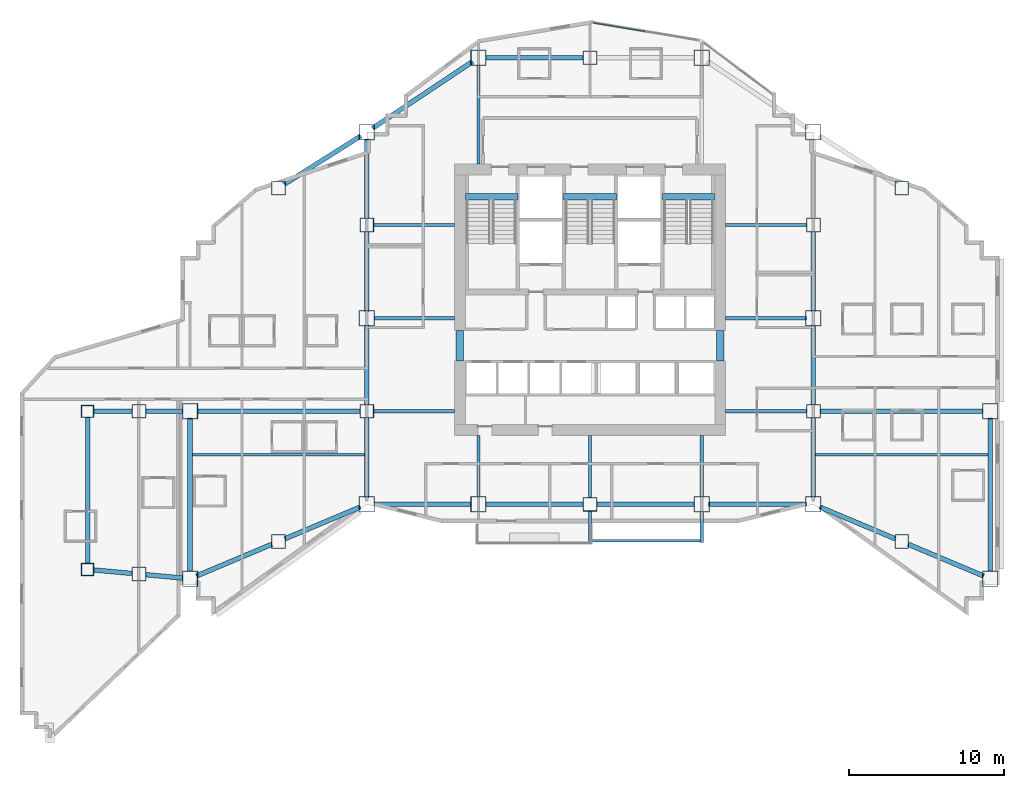
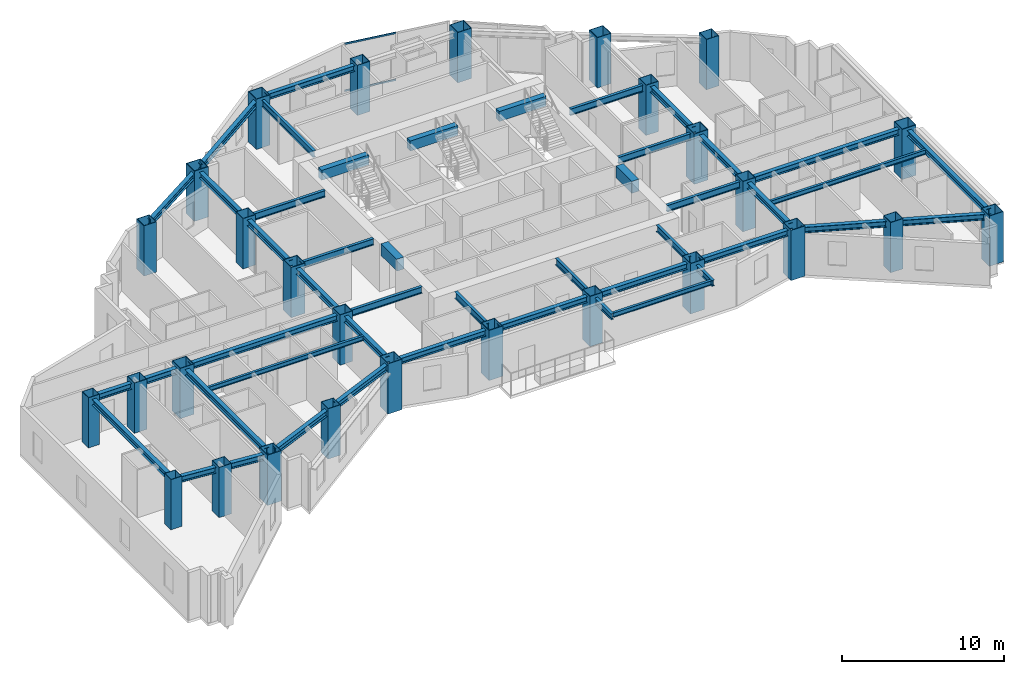
# One storey, part 1 of 16: 47 beams, 28 columns, 2 members, 1 element without a shape of its own.
"""IFC4 building model written with IfcOpenShell, lengths in metres."""

from ifc_helpers import new_model, si_unit, direction, frame, origin, origin_2d, place, context, subcontext, project, spatial, rectangle, hollow_rectangle, i_section, extrude, material, layer, layer_set, material_profile, profile_set, type_object, element, aggregate, save


model = new_model("IFC4")

# Units and contexts
model_context = context("Model", 3, precision=1e-05, world=origin(), true_north=direction((0.0, 1.0)))
body_context = subcontext(model_context, "Body", "Model", "MODEL_VIEW")
ifc_project = project(units=[si_unit("LENGTHUNIT", "METRE"), si_unit("AREAUNIT", "SQUARE_METRE"), si_unit("VOLUMEUNIT", "CUBIC_METRE"), si_unit("PLANEANGLEUNIT", "RADIAN"), si_unit("MASSUNIT", "GRAM", prefix="KILO")], contexts=[model_context])

# Site, building, storey
site_placement = place(None, origin())
site = spatial("IfcSite", under=ifc_project, at=site_placement, CompositionType="ELEMENT")
building_placement = place(site_placement, origin())
building = spatial("IfcBuilding", under=site, at=building_placement, Name="Haolan Belvedere Tower", CompositionType="ELEMENT")
storey_placement = place(building_placement, frame((0.0, 0.0, 125.0)))
storey = spatial("IfcBuildingStorey", under=building, at=storey_placement, Name="L31", CompositionType="ELEMENT", Elevation=125.0)

# Columns
ifc_material_1 = material(Name="Steel Q420GJC", Category="steel")
ifc_material_profile_1 = material_profile(ifc_material_1, hollow_rectangle(XDim=1.0, YDim=1.0, WallThickness=0.0380859375, at=origin_2d()), Name="Steel Q420GJC")
ifc_profile_set_1 = profile_set([ifc_material_profile_1], Name="Steel Q420GJC")
column_type_1 = type_object("IfcColumnType", Name="COL-BOX1000x1000x38", PredefinedType="COLUMN", material=ifc_profile_set_1)
for number, where, z_axis, x_axis, name in (
    (1, (24.0, 21.60009765625, 0.0), (0.0, 0.0, 1.0), (1.0, 0.0, 0.0), "L31 column MC-T3-SW (BOX1000x1000x38)"),
    (2, (24.0, 33.60009765625, 0.0), (0.0, 0.0, 1.0), (1.0, 0.0, 0.0), "L31 column MC-T3-MW (BOX1000x1000x38)"),
    (3, (24.0, 45.60009765625, 0.0), (0.0, 0.0, 1.0), (1.0, 0.0, 0.0), "L31 column MC-T3-NW (BOX1000x1000x38)"),
    (4, (52.800048828125, 21.60009765625, 0.0), (0.0, 0.0, 1.0), (1.0, 0.0, 0.0), "L31 column MC-T3-SE (BOX1000x1000x38)"),
    (5, (52.800048828125, 33.60009765625, 0.0), (0.0, 0.0, 1.0), (1.0, 0.0, 0.0), "L31 column MC-T3-ME (BOX1000x1000x38)"),
    (6, (52.800048828125, 45.60009765625, 0.0), (0.0, 0.0, 1.0), (1.0, 0.0, 0.0), "L31 column MC-T3-NE (BOX1000x1000x38)"),
    (7, (31.199951171875, 21.60009765625, 0.0), (0.0, 0.0, 1.0), (1.0, 0.0, 0.0), "L31 column MC-T3-S1 (BOX1000x1000x38)"),
    (8, (45.60009765625, 21.60009765625, 0.0), (0.0, 0.0, 1.0), (1.0, 0.0, 0.0), "L31 column MC-T3-S2 (BOX1000x1000x38)"),
    (9, (31.199951171875, 50.39990234375, 0.0), (0.0, 0.0, 1.0), (1.0, 0.0, 0.0), "L31 column MC-T3-N1 (BOX1000x1000x38)"),
    (10, (45.60009765625, 50.39990234375, 0.0), (0.0, 0.0, 1.0), (1.0, 0.0, 0.0), "L31 column MC-T3-N2 (BOX1000x1000x38)"),
    (11, (12.60009765625, 16.800048828125, 0.0), (0.0, 0.0, 1.0), (1.0, 0.0, 0.0), "L31 column MC-T2-SW (BOX1000x1000x38)"),
    (12, (12.60009765625, 27.60009765625, 0.0), (0.0, 0.0, 1.0), (1.0, 0.0, 0.0), "L31 column MC-T2-MW (BOX1000x1000x38)"),
    (13, (64.199951171875, 16.800048828125, 0.0), (0.0, 0.0, 1.0), (1.0, 0.0, 0.0), "L31 column MC-T4-SE (BOX1000x1000x38)"),
    (14, (64.199951171875, 27.60009765625, 0.0), (0.0, 0.0, 1.0), (1.0, 0.0, 0.0), "L31 column MC-T4-ME (BOX1000x1000x38)"),
):
    element("IfcColumn", number, at=place(storey_placement, frame(where, z_axis=z_axis, x_axis=x_axis)), inside=storey, type_object=column_type_1, Name=name, PredefinedType="COLUMN", context=body_context, shape_type="SweptSolid", body=[
        extrude(hollow_rectangle(XDim=1.0, YDim=1.0, WallThickness=0.0380859375, at=origin_2d()), origin(), (0.0, 0.0, 1.0), 3.800048828125),
    ])
ifc_material_2 = material(Name="Steel Q390GJC", Category="steel")
ifc_material_profile_2 = material_profile(ifc_material_2, hollow_rectangle(XDim=0.800048828125, YDim=0.800048828125, WallThickness=0.030029296875, at=origin_2d()), Name="Steel Q390GJC")
ifc_profile_set_2 = profile_set([ifc_material_profile_2], Name="Steel Q390GJC")
column_type_2 = type_object("IfcColumnType", Name="COL-BOX800x800x30", PredefinedType="COLUMN", material=ifc_profile_set_2)
for number, where, z_axis, x_axis, name in (
    (15, (6.0, 17.39990234375, 0.0), (0.0, 0.0, 1.0), (1.0, 0.0, 0.0), "L31 column MC-T1-SW (BOX800x800x30)"),
    (16, (6.0, 27.60009765625, 0.0), (0.0, 0.0, 1.0), (1.0, 0.0, 0.0), "L31 column MC-T1-NW (BOX800x800x30)"),
):
    element("IfcColumn", number, at=place(storey_placement, frame(where, z_axis=z_axis, x_axis=x_axis)), inside=storey, type_object=column_type_2, Name=name, PredefinedType="COLUMN", context=body_context, shape_type="SweptSolid", body=[
        extrude(hollow_rectangle(XDim=0.800048828125, YDim=0.800048828125, WallThickness=0.030029296875, at=origin_2d()), origin(), (0.0, 0.0, 1.0), 3.800048828125),
    ])
ifc_material_profile_3 = material_profile(ifc_material_2, hollow_rectangle(XDim=0.89990234375, YDim=0.89990234375, WallThickness=0.033935546875, at=origin_2d()), Name="Steel Q390GJC")
ifc_profile_set_3 = profile_set([ifc_material_profile_3], Name="Steel Q390GJC")
column_type_3 = type_object("IfcColumnType", Name="COL-BOX900x900x34", PredefinedType="COLUMN", material=ifc_profile_set_3)
for number, where, z_axis, x_axis, name in (
    (17, (24.0, 27.60009765625, 0.0), (0.0, 0.0, 1.0), (1.0, 0.0, 0.0), "L31 column TC-T3-W1 (BOX900x900x34)"),
    (18, (24.0, 39.60009765625, 0.0), (0.0, 0.0, 1.0), (1.0, 0.0, 0.0), "L31 column TC-T3-W2 (BOX900x900x34)"),
    (19, (52.800048828125, 27.60009765625, 0.0), (0.0, 0.0, 1.0), (1.0, 0.0, 0.0), "L31 column TC-T3-E1 (BOX900x900x34)"),
    (20, (52.800048828125, 39.60009765625, 0.0), (0.0, 0.0, 1.0), (1.0, 0.0, 0.0), "L31 column TC-T3-E2 (BOX900x900x34)"),
    (21, (38.39990234375, 21.60009765625, 0.0), (0.0, 0.0, 1.0), (1.0, 0.0, 0.0), "L31 column TC-T3-SM (BOX900x900x34)"),
    (22, (38.39990234375, 50.39990234375, 0.0), (0.0, 0.0, 1.0), (1.0, 0.0, 0.0), "L31 column TC-T3-NM (BOX900x900x34)"),
    (23, (18.300048828125, 19.199951171875, 0.0), (0.0, 0.0, 1.0), (1.0, 0.0, 0.0), "L31 column TC-T2-S1 (BOX900x900x34)"),
    (24, (18.300048828125, 42.0, 0.0), (0.0, 0.0, 1.0), (1.0, 0.0, 0.0), "L31 column TC-T2-N1 (BOX900x900x34)"),
    (25, (58.5, 19.199951171875, 0.0), (0.0, 0.0, 1.0), (1.0, 0.0, 0.0), "L31 column TC-T4-S1 (BOX900x900x34)"),
    (26, (58.5, 42.0, 0.0), (0.0, 0.0, 1.0), (1.0, 0.0, 0.0), "L31 column TC-T4-N1 (BOX900x900x34)"),
    (27, (9.300048828125, 17.10009765625, 0.0), (0.0, 0.0, 1.0), (1.0, 0.0, 0.0), "L31 column TC-T1-M1 (BOX900x900x34)"),
    (28, (9.300048828125, 27.60009765625, 0.0), (0.0, 0.0, 1.0), (1.0, 0.0, 0.0), "L31 column TC-T1-M2 (BOX900x900x34)"),
):
    element("IfcColumn", number, at=place(storey_placement, frame(where, z_axis=z_axis, x_axis=x_axis)), inside=storey, type_object=column_type_3, Name=name, PredefinedType="COLUMN", context=body_context, shape_type="SweptSolid", body=[
        extrude(hollow_rectangle(XDim=0.89990234375, YDim=0.89990234375, WallThickness=0.033935546875, at=origin_2d()), origin(), (0.0, 0.0, 1.0), 3.800048828125),
    ])

# Beams
ifc_material_3 = material(Name="Steel Q355B", Category="steel")
ifc_material_profile_4 = material_profile(ifc_material_3, i_section(OverallWidth=0.300048828125, OverallDepth=0.43994140625, WebThickness=0.010986328125, FlangeThickness=0.01806640625, FilletRadius=0.02392578125, at=origin_2d()), Name="Steel Q355B")
ifc_profile_set_4 = profile_set([ifc_material_profile_4], Name="Steel Q355B")
beam_type_1 = type_object("IfcBeamType", Name="BM-HM440x300x11x18", PredefinedType="SPANDREL", material=ifc_profile_set_4)
for number, where, z_axis, x_axis, name in (
    (29, (24.0, 22.050048828125, 3.3798828125), (0.0, 1.0, 0.0), (-1.0, 0.0, 0.0), "L31 spandrel girder MC-T3-SW-TC-T3-W1"),
    (30, (24.0, 28.050048828125, 3.3798828125), (0.0, 1.0, 0.0), (-1.0, 0.0, 0.0), "L31 spandrel girder TC-T3-W1-MC-T3-MW"),
    (31, (24.0, 34.050048828125, 3.3798828125), (0.0, 1.0, 0.0), (-1.0, 0.0, 0.0), "L31 spandrel girder MC-T3-MW-TC-T3-W2"),
    (32, (24.0, 40.050048828125, 3.3798828125), (0.0, 1.0, 0.0), (-1.0, 0.0, 0.0), "L31 spandrel girder TC-T3-W2-MC-T3-NW"),
    (33, (52.800048828125, 22.050048828125, 3.3798828125), (0.0, 1.0, 0.0), (-1.0, 0.0, 0.0), "L31 spandrel girder MC-T3-SE-TC-T3-E1"),
    (34, (52.800048828125, 28.050048828125, 3.3798828125), (0.0, 1.0, 0.0), (-1.0, 0.0, 0.0), "L31 spandrel girder TC-T3-E1-MC-T3-ME"),
    (35, (52.800048828125, 34.050048828125, 3.3798828125), (0.0, 1.0, 0.0), (-1.0, 0.0, 0.0), "L31 spandrel girder MC-T3-ME-TC-T3-E2"),
):
    element("IfcBeam", number, at=place(storey_placement, frame(where, z_axis=z_axis, x_axis=x_axis)), inside=storey, type_object=beam_type_1, Name=name, PredefinedType="SPANDREL", context=body_context, shape_type="SweptSolid", body=[
        extrude(i_section(OverallWidth=0.300048828125, OverallDepth=0.43994140625, WebThickness=0.010986328125, FlangeThickness=0.01806640625, FilletRadius=0.02392578125, at=origin_2d()), origin(), (0.0, 0.0, 1.0), 5.099853515625),
    ])
for number, where, z_axis, x_axis, name in (
    (36, (24.449951171875, 21.60009765625, 3.3798828125), (1.0, 0.0, 0.0), (0.0, 1.0, 0.0), "L31 spandrel girder MC-T3-SW-MC-T3-S1"),
    (37, (31.64990234375, 21.60009765625, 3.3798828125), (1.0, 0.0, 0.0), (0.0, 1.0, 0.0), "L31 spandrel girder MC-T3-S1-TC-T3-SM"),
):
    element("IfcBeam", number, at=place(storey_placement, frame(where, z_axis=z_axis, x_axis=x_axis)), inside=storey, type_object=beam_type_1, Name=name, PredefinedType="SPANDREL", context=body_context, shape_type="SweptSolid", body=[
        extrude(i_section(OverallWidth=0.300048828125, OverallDepth=0.43994140625, WebThickness=0.010986328125, FlangeThickness=0.01806640625, FilletRadius=0.02392578125, at=origin_2d()), origin(), (0.0, 0.0, 1.0), 6.300048828125),
    ])
beam_1_placement = place(storey_placement, frame((38.85009765625, 21.60009765625, 3.3798828125), z_axis=(1.0, 0.0, 0.0), x_axis=(0.0, 1.0, 0.0)))
element("IfcBeam", 38, at=beam_1_placement, inside=storey, type_object=beam_type_1, Name="L31 spandrel girder TC-T3-SM-MC-T3-S2", PredefinedType="SPANDREL", context=body_context, shape_type="SweptSolid", body=[
    extrude(i_section(OverallWidth=0.300048828125, OverallDepth=0.43994140625, WebThickness=0.010986328125, FlangeThickness=0.01806640625, FilletRadius=0.02392578125, at=origin_2d()), origin(), (0.0, 0.0, 1.0), 6.2998046875),
])
beam_2_placement = place(storey_placement, frame((46.050048828125, 21.60009765625, 3.3798828125), z_axis=(1.0, 0.0, 0.0), x_axis=(0.0, 1.0, 0.0)))
element("IfcBeam", 39, at=beam_2_placement, inside=storey, type_object=beam_type_1, Name="L31 spandrel girder MC-T3-S2-MC-T3-SE", PredefinedType="SPANDREL", context=body_context, shape_type="SweptSolid", body=[
    extrude(i_section(OverallWidth=0.300048828125, OverallDepth=0.43994140625, WebThickness=0.010986328125, FlangeThickness=0.01806640625, FilletRadius=0.02392578125, at=origin_2d()), origin(), (0.0, 0.0, 1.0), 6.300048828125),
])
beam_3_placement = place(storey_placement, frame((24.37451171875, 45.849609375, 3.3798828125), z_axis=(0.832050294338, 0.554700196225, 0.0), x_axis=(-0.554700196225, 0.832050294338, 0.0)))
element("IfcBeam", 40, at=beam_3_placement, inside=storey, type_object=beam_type_1, Name="L31 spandrel girder MC-T3-NW-MC-T3-N1", PredefinedType="SPANDREL", context=body_context, shape_type="SweptSolid", body=[
    extrude(i_section(OverallWidth=0.300048828125, OverallDepth=0.43994140625, WebThickness=0.010986328125, FlangeThickness=0.01806640625, FilletRadius=0.02392578125, at=origin_2d()), origin(), (0.0, 0.0, 1.0), 7.75341796875),
])
beam_4_placement = place(storey_placement, frame((31.64990234375, 50.39990234375, 3.3798828125), z_axis=(1.0, 0.0, 0.0), x_axis=(0.0, 1.0, 0.0)))
element("IfcBeam", 41, at=beam_4_placement, inside=storey, type_object=beam_type_1, Name="L31 spandrel girder MC-T3-N1-TC-T3-NM", PredefinedType="SPANDREL", context=body_context, shape_type="SweptSolid", body=[
    extrude(i_section(OverallWidth=0.300048828125, OverallDepth=0.43994140625, WebThickness=0.010986328125, FlangeThickness=0.01806640625, FilletRadius=0.02392578125, at=origin_2d()), origin(), (0.0, 0.0, 1.0), 6.300048828125),
])
beam_5_placement = place(storey_placement, frame((12.60009765625, 17.25, 3.3798828125), z_axis=(0.0, 1.0, 0.0), x_axis=(-1.0, 0.0, 0.0)))
element("IfcBeam", 42, at=beam_5_placement, inside=storey, type_object=beam_type_1, Name="L31 spandrel girder MC-T2-SW-MC-T2-MW", PredefinedType="SPANDREL", context=body_context, shape_type="SweptSolid", body=[
    extrude(i_section(OverallWidth=0.300048828125, OverallDepth=0.43994140625, WebThickness=0.010986328125, FlangeThickness=0.01806640625, FilletRadius=0.02392578125, at=origin_2d()), origin(), (0.0, 0.0, 1.0), 9.89990234375),
])
beam_6_placement = place(storey_placement, frame((13.0146484375, 16.974609375, 3.3798828125), z_axis=(0.921635375138, 0.388057000058, 0.0), x_axis=(-0.388057000058, 0.921635375138, 0.0)))
element("IfcBeam", 43, at=beam_6_placement, inside=storey, type_object=beam_type_1, Name="L31 spandrel girder MC-T2-SW-TC-T2-S1", PredefinedType="SPANDREL", context=body_context, shape_type="SweptSolid", body=[
    extrude(i_section(OverallWidth=0.300048828125, OverallDepth=0.43994140625, WebThickness=0.010986328125, FlangeThickness=0.01806640625, FilletRadius=0.02392578125, at=origin_2d()), origin(), (0.0, 0.0, 1.0), 5.28466796875),
])
beam_7_placement = place(storey_placement, frame((18.71484375, 19.37451171875, 3.3798828125), z_axis=(0.92162841793, 0.388073523014, 0.0), x_axis=(-0.388073523014, 0.92162841793, 0.0)))
element("IfcBeam", 44, at=beam_7_placement, inside=storey, type_object=beam_type_1, Name="L31 spandrel girder TC-T2-S1-MC-T3-SW", PredefinedType="SPANDREL", context=body_context, shape_type="SweptSolid", body=[
    extrude(i_section(OverallWidth=0.300048828125, OverallDepth=0.43994140625, WebThickness=0.010986328125, FlangeThickness=0.01806640625, FilletRadius=0.02392578125, at=origin_2d()), origin(), (0.0, 0.0, 1.0), 5.284423828125),
])
beam_8_placement = place(storey_placement, frame((18.680419921875, 42.240234375, 3.3798828125), z_axis=(0.845497840649, 0.533978839898, 0.0), x_axis=(-0.533978839898, 0.845497840649, 0.0)))
element("IfcBeam", 45, at=beam_8_placement, inside=storey, type_object=beam_type_1, Name="L31 spandrel girder TC-T2-N1-MC-T3-NW", PredefinedType="SPANDREL", context=body_context, shape_type="SweptSolid", body=[
    extrude(i_section(OverallWidth=0.300048828125, OverallDepth=0.43994140625, WebThickness=0.010986328125, FlangeThickness=0.01806640625, FilletRadius=0.02392578125, at=origin_2d()), origin(), (0.0, 0.0, 1.0), 5.841796875),
])
beam_9_placement = place(storey_placement, frame((13.050048828125, 27.60009765625, 3.3798828125), z_axis=(1.0, 0.0, 0.0), x_axis=(0.0, 1.0, 0.0)))
element("IfcBeam", 46, at=beam_9_placement, inside=storey, type_object=beam_type_1, Name="L31 spandrel girder MC-T2-MW-TC-T3-W1", PredefinedType="SPANDREL", context=body_context, shape_type="SweptSolid", body=[
    extrude(i_section(OverallWidth=0.300048828125, OverallDepth=0.43994140625, WebThickness=0.010986328125, FlangeThickness=0.01806640625, FilletRadius=0.02392578125, at=origin_2d()), origin(), (0.0, 0.0, 1.0), 10.5),
])
beam_10_placement = place(storey_placement, frame((64.199951171875, 17.25, 3.3798828125), z_axis=(0.0, 1.0, 0.0), x_axis=(-1.0, 0.0, 0.0)))
element("IfcBeam", 47, at=beam_10_placement, inside=storey, type_object=beam_type_1, Name="L31 spandrel girder MC-T4-SE-MC-T4-ME", PredefinedType="SPANDREL", context=body_context, shape_type="SweptSolid", body=[
    extrude(i_section(OverallWidth=0.300048828125, OverallDepth=0.43994140625, WebThickness=0.010986328125, FlangeThickness=0.01806640625, FilletRadius=0.02392578125, at=origin_2d()), origin(), (0.0, 0.0, 1.0), 9.89990234375),
])
for number, where, z_axis, x_axis, name in (
    (48, (53.21484375, 21.42529296875, 3.3798828125), (0.92162841793, -0.388073523014, 0.0), (0.388073523014, 0.92162841793, 0.0), "L31 spandrel girder MC-T3-SE-TC-T4-S1"),
    (49, (58.914794921875, 19.025390625, 3.3798828125), (0.92162841793, -0.388073523014, 0.0), (0.388073523014, 0.92162841793, 0.0), "L31 spandrel girder TC-T4-S1-MC-T4-SE"),
):
    element("IfcBeam", number, at=place(storey_placement, frame(where, z_axis=z_axis, x_axis=x_axis)), inside=storey, type_object=beam_type_1, Name=name, PredefinedType="SPANDREL", context=body_context, shape_type="SweptSolid", body=[
        extrude(i_section(OverallWidth=0.300048828125, OverallDepth=0.43994140625, WebThickness=0.010986328125, FlangeThickness=0.01806640625, FilletRadius=0.02392578125, at=origin_2d()), origin(), (0.0, 0.0, 1.0), 5.284423828125),
    ])
beam_11_placement = place(storey_placement, frame((53.25, 27.60009765625, 3.3798828125), z_axis=(1.0, 0.0, 0.0), x_axis=(0.0, 1.0, 0.0)))
element("IfcBeam", 50, at=beam_11_placement, inside=storey, type_object=beam_type_1, Name="L31 spandrel girder TC-T3-E1-MC-T4-ME", PredefinedType="SPANDREL", context=body_context, shape_type="SweptSolid", body=[
    extrude(i_section(OverallWidth=0.300048828125, OverallDepth=0.43994140625, WebThickness=0.010986328125, FlangeThickness=0.01806640625, FilletRadius=0.02392578125, at=origin_2d()), origin(), (0.0, 0.0, 1.0), 10.5),
])
beam_12_placement = place(storey_placement, frame((6.0, 17.800048828125, 3.3798828125), z_axis=(0.0, 1.0, 0.0), x_axis=(-1.0, 0.0, 0.0)))
element("IfcBeam", 51, at=beam_12_placement, inside=storey, type_object=beam_type_1, Name="L31 spandrel girder MC-T1-SW-MC-T1-NW", PredefinedType="SPANDREL", context=body_context, shape_type="SweptSolid", body=[
    extrude(i_section(OverallWidth=0.300048828125, OverallDepth=0.43994140625, WebThickness=0.010986328125, FlangeThickness=0.01806640625, FilletRadius=0.02392578125, at=origin_2d()), origin(), (0.0, 0.0, 1.0), 9.39990234375),
])
beam_13_placement = place(storey_placement, frame((6.3984375, 17.36376953125, 3.3798828125), z_axis=(0.995889143855, -0.090580423672, 0.0), x_axis=(0.090580423672, 0.995889143855, 0.0)))
element("IfcBeam", 52, at=beam_13_placement, inside=storey, type_object=beam_type_1, Name="L31 spandrel girder MC-T1-SW-TC-T1-M1", PredefinedType="SPANDREL", context=body_context, shape_type="SweptSolid", body=[
    extrude(i_section(OverallWidth=0.300048828125, OverallDepth=0.43994140625, WebThickness=0.010986328125, FlangeThickness=0.01806640625, FilletRadius=0.02392578125, at=origin_2d()), origin(), (0.0, 0.0, 1.0), 2.46337890625),
])
beam_14_placement = place(storey_placement, frame((9.748046875, 17.059326171875, 3.3798828125), z_axis=(0.9958940355, -0.090526626221, 0.0), x_axis=(0.090526626221, 0.9958940355, 0.0)))
element("IfcBeam", 53, at=beam_14_placement, inside=storey, type_object=beam_type_1, Name="L31 spandrel girder TC-T1-M1-MC-T2-SW", PredefinedType="SPANDREL", context=body_context, shape_type="SweptSolid", body=[
    extrude(i_section(OverallWidth=0.300048828125, OverallDepth=0.43994140625, WebThickness=0.010986328125, FlangeThickness=0.01806640625, FilletRadius=0.02392578125, at=origin_2d()), origin(), (0.0, 0.0, 1.0), 2.413818359375),
])
beam_15_placement = place(storey_placement, frame((6.39990234375, 27.60009765625, 3.3798828125), z_axis=(1.0, 0.0, 0.0), x_axis=(0.0, 1.0, 0.0)))
element("IfcBeam", 54, at=beam_15_placement, inside=storey, type_object=beam_type_1, Name="L31 spandrel girder MC-T1-NW-TC-T1-M2", PredefinedType="SPANDREL", context=body_context, shape_type="SweptSolid", body=[
    extrude(i_section(OverallWidth=0.300048828125, OverallDepth=0.43994140625, WebThickness=0.010986328125, FlangeThickness=0.01806640625, FilletRadius=0.02392578125, at=origin_2d()), origin(), (0.0, 0.0, 1.0), 2.4501953125),
])
beam_16_placement = place(storey_placement, frame((9.75, 27.60009765625, 3.3798828125), z_axis=(1.0, 0.0, 0.0), x_axis=(0.0, 1.0, 0.0)))
element("IfcBeam", 55, at=beam_16_placement, inside=storey, type_object=beam_type_1, Name="L31 spandrel girder TC-T1-M2-MC-T2-MW", PredefinedType="SPANDREL", context=body_context, shape_type="SweptSolid", body=[
    extrude(i_section(OverallWidth=0.300048828125, OverallDepth=0.43994140625, WebThickness=0.010986328125, FlangeThickness=0.01806640625, FilletRadius=0.02392578125, at=origin_2d()), origin(), (0.0, 0.0, 1.0), 2.39990234375),
])
ifc_material_profile_5 = material_profile(ifc_material_3, i_section(OverallWidth=0.175048828125, OverallDepth=0.35009765625, WebThickness=0.007080078125, FlangeThickness=0.010986328125, FilletRadius=0.012939453125, at=origin_2d()), Name="Steel Q355B")
ifc_profile_set_5 = profile_set([ifc_material_profile_5], Name="Steel Q355B")
beam_type_2 = type_object("IfcBeamType", Name="BM-HN350x175x7x11", PredefinedType="JOIST", material=ifc_profile_set_5)
for number, where, z_axis, x_axis, name in (
    (56, (12.75, 24.800048828125, 3.425048828125), (1.0, 0.0, 0.0), (0.0, 1.0, 0.0), "L31 west wing floor joist 1"),
    (57, (52.949951171875, 24.800048828125, 3.425048828125), (1.0, 0.0, 0.0), (0.0, 1.0, 0.0), "L31 east wing floor joist 1"),
):
    element("IfcBeam", number, at=place(storey_placement, frame(where, z_axis=z_axis, x_axis=x_axis)), inside=storey, type_object=beam_type_2, Name=name, PredefinedType="JOIST", context=body_context, shape_type="SweptSolid", body=[
        extrude(i_section(OverallWidth=0.175048828125, OverallDepth=0.35009765625, WebThickness=0.007080078125, FlangeThickness=0.010986328125, FilletRadius=0.012939453125, at=origin_2d()), origin(), (0.0, 0.0, 1.0), 11.10009765625),
    ])
beam_17_placement = place(storey_placement, frame((38.5, 19.239990234375, 3.39501953125), z_axis=(1.0, 0.0, 0.0), x_axis=(0.0, 1.0, 0.0)))
element("IfcBeam", 58, at=beam_17_placement, inside=storey, type_object=beam_type_2, Name="L32 tree-balcony front trimmer beam 1", PredefinedType="BEAM", context=body_context, shape_type="SweptSolid", body=[
    extrude(i_section(OverallWidth=0.175048828125, OverallDepth=0.35009765625, WebThickness=0.007080078125, FlangeThickness=0.010986328125, FilletRadius=0.012939453125, at=origin_2d()), origin(), (0.0, 0.0, 1.0), 7.0),
])
ifc_material_profile_6 = material_profile(ifc_material_3, i_section(OverallWidth=0.199951171875, OverallDepth=0.449951171875, WebThickness=0.009033203125, FlangeThickness=0.013916015625, FilletRadius=0.01611328125, at=origin_2d()), Name="Steel Q355B")
ifc_profile_set_6 = profile_set([ifc_material_profile_6], Name="Steel Q355B")
beam_type_3 = type_object("IfcBeamType", Name="BM-HN450x200x9x14", PredefinedType="BEAM", material=ifc_profile_set_6)
beam_18_placement = place(storey_placement, frame((38.39990234375, 21.14990234375, 3.344970703125), z_axis=(0.0, -1.0, 0.0), x_axis=(1.0, 0.0, 0.0)))
element("IfcBeam", 59, at=beam_18_placement, inside=storey, type_object=beam_type_3, Name="L32 tree-balcony column cantilever TC-T3-SM", PredefinedType="BEAM", context=body_context, shape_type="SweptSolid", body=[
    extrude(i_section(OverallWidth=0.199951171875, OverallDepth=0.449951171875, WebThickness=0.009033203125, FlangeThickness=0.013916015625, FilletRadius=0.01611328125, at=origin_2d()), origin(), (0.0, 0.0, 1.0), 2.010009765625),
])
beam_19_placement = place(storey_placement, frame((45.60009765625, 21.10009765625, 3.344970703125), z_axis=(0.0, -1.0, 0.0), x_axis=(1.0, 0.0, 0.0)))
element("IfcBeam", 60, at=beam_19_placement, inside=storey, type_object=beam_type_3, Name="L32 tree-balcony column cantilever MC-T3-S2", PredefinedType="BEAM", context=body_context, shape_type="SweptSolid", body=[
    extrude(i_section(OverallWidth=0.199951171875, OverallDepth=0.449951171875, WebThickness=0.009033203125, FlangeThickness=0.013916015625, FilletRadius=0.01611328125, at=origin_2d()), origin(), (0.0, 0.0, 1.0), 1.960205078125),
])
ifc_material_profile_7 = material_profile(ifc_material_3, i_section(OverallWidth=0.199951171875, OverallDepth=0.5, WebThickness=0.010009765625, FlangeThickness=0.01611328125, FilletRadius=0.02001953125, at=origin_2d()), Name="Steel Q355B")
ifc_profile_set_7 = profile_set([ifc_material_profile_7], Name="Steel Q355B")
beam_type_4 = type_object("IfcBeamType", Name="BM-HN500x200x10x16", PredefinedType="BEAM", material=ifc_profile_set_7)
for number, where, z_axis, x_axis, name in (
    (61, (24.449951171875, 33.60009765625, 3.35009765625), (1.0, 0.0, 0.0), (0.0, 1.0, 0.0), "L31 core tie beam from MC-T3-MW"),
    (62, (24.449951171875, 27.60009765625, 3.35009765625), (1.0, 0.0, 0.0), (0.0, 1.0, 0.0), "L31 core tie beam from TC-T3-W1"),
    (63, (24.449951171875, 39.60009765625, 3.35009765625), (1.0, 0.0, 0.0), (0.0, 1.0, 0.0), "L31 core tie beam from TC-T3-W2"),
):
    element("IfcBeam", number, at=place(storey_placement, frame(where, z_axis=z_axis, x_axis=x_axis)), inside=storey, type_object=beam_type_4, Name=name, PredefinedType="BEAM", context=body_context, shape_type="SweptSolid", body=[
        extrude(i_section(OverallWidth=0.199951171875, OverallDepth=0.5, WebThickness=0.010009765625, FlangeThickness=0.01611328125, FilletRadius=0.02001953125, at=origin_2d()), origin(), (0.0, 0.0, 1.0), 5.199951171875),
    ])
for number, where, z_axis, x_axis, name in (
    (64, (52.35009765625, 33.60009765625, 3.35009765625), (-1.0, 0.0, 0.0), (0.0, -1.0, 0.0), "L31 core tie beam from MC-T3-ME"),
    (65, (52.35009765625, 27.60009765625, 3.35009765625), (-1.0, 0.0, 0.0), (0.0, -1.0, 0.0), "L31 core tie beam from TC-T3-E1"),
    (66, (52.35009765625, 39.60009765625, 3.35009765625), (-1.0, 0.0, 0.0), (0.0, -1.0, 0.0), "L31 core tie beam from TC-T3-E2"),
):
    element("IfcBeam", number, at=place(storey_placement, frame(where, z_axis=z_axis, x_axis=x_axis)), inside=storey, type_object=beam_type_4, Name=name, PredefinedType="BEAM", context=body_context, shape_type="SweptSolid", body=[
        extrude(i_section(OverallWidth=0.199951171875, OverallDepth=0.5, WebThickness=0.010009765625, FlangeThickness=0.01611328125, FilletRadius=0.02001953125, at=origin_2d()), origin(), (0.0, 0.0, 1.0), 5.2001953125),
    ])
for number, where, z_axis, x_axis, name in (
    (67, (31.199951171875, 22.050048828125, 3.35009765625), (0.0, 1.0, 0.0), (-1.0, 0.0, 0.0), "L31 core tie beam from MC-T3-S1"),
    (68, (38.39990234375, 22.050048828125, 3.35009765625), (0.0, 1.0, 0.0), (-1.0, 0.0, 0.0), "L31 core tie beam from TC-T3-SM"),
    (69, (45.60009765625, 22.050048828125, 3.35009765625), (0.0, 1.0, 0.0), (-1.0, 0.0, 0.0), "L31 core tie beam from MC-T3-S2"),
):
    element("IfcBeam", number, at=place(storey_placement, frame(where, z_axis=z_axis, x_axis=x_axis)), inside=storey, type_object=beam_type_4, Name=name, PredefinedType="BEAM", context=body_context, shape_type="SweptSolid", body=[
        extrude(i_section(OverallWidth=0.199951171875, OverallDepth=0.5, WebThickness=0.010009765625, FlangeThickness=0.01611328125, FilletRadius=0.02001953125, at=origin_2d()), origin(), (0.0, 0.0, 1.0), 4.0),
    ])
beam_20_placement = place(storey_placement, frame((31.199951171875, 49.949951171875, 3.35009765625), z_axis=(0.0, -1.0, 0.0), x_axis=(1.0, 0.0, 0.0)))
element("IfcBeam", 70, at=beam_20_placement, inside=storey, type_object=beam_type_4, Name="L31 core tie beam from MC-T3-N1", PredefinedType="BEAM", context=body_context, shape_type="SweptSolid", body=[
    extrude(i_section(OverallWidth=0.199951171875, OverallDepth=0.5, WebThickness=0.010009765625, FlangeThickness=0.01611328125, FilletRadius=0.02001953125, at=origin_2d()), origin(), (0.0, 0.0, 1.0), 6.39990234375),
])
ifc_material_4 = material(Name="Concrete C50/60", Category="concrete")
ifc_material_profile_8 = material_profile(ifc_material_4, rectangle(XDim=0.39990234375, YDim=0.75, at=origin_2d()), Name="Concrete C50/60")
ifc_profile_set_8 = profile_set([ifc_material_profile_8], Name="Concrete C50/60")
beam_type_5 = type_object("IfcBeamType", Name="BM-RC400x750", PredefinedType="T_BEAM", material=ifc_profile_set_8)
beam_21_placement = place(storey_placement, frame((30.3798828125, 41.429931640625, 3.425048828125), z_axis=(1.0, 0.0, 0.0), x_axis=(0.0, 1.0, 0.0)))
element("IfcBeam", 71, at=beam_21_placement, inside=storey, type_object=beam_type_5, Name="L32 stair ST1 RC header trimmer beam", PredefinedType="BEAM", context=body_context, shape_type="SweptSolid", body=[
    extrude(rectangle(XDim=0.39990234375, YDim=0.75, at=origin_2d()), origin(), (0.0, 0.0, 1.0), 3.360107421875),
])
beam_22_placement = place(storey_placement, frame((36.699951171875, 41.429931640625, 3.425048828125), z_axis=(1.0, 0.0, 0.0), x_axis=(0.0, 1.0, 0.0)))
element("IfcBeam", 72, at=beam_22_placement, inside=storey, type_object=beam_type_5, Name="L32 stair ST3 RC header trimmer beam", PredefinedType="BEAM", context=body_context, shape_type="SweptSolid", body=[
    extrude(rectangle(XDim=0.39990234375, YDim=0.75, at=origin_2d()), origin(), (0.0, 0.0, 1.0), 3.400146484375),
])
beam_23_placement = place(storey_placement, frame((43.06005859375, 41.429931640625, 3.425048828125), z_axis=(1.0, 0.0, 0.0), x_axis=(0.0, 1.0, 0.0)))
element("IfcBeam", 73, at=beam_23_placement, inside=storey, type_object=beam_type_5, Name="L32 stair ST2 RC header trimmer beam", PredefinedType="BEAM", context=body_context, shape_type="SweptSolid", body=[
    extrude(rectangle(XDim=0.39990234375, YDim=0.75, at=origin_2d()), origin(), (0.0, 0.0, 1.0), 3.35986328125),
])
ifc_material_5 = material(Name="Concrete C60/75", Category="concrete")
ifc_material_profile_9 = material_profile(ifc_material_5, rectangle(XDim=0.5, YDim=0.89990234375, at=origin_2d()), Name="Concrete C60/75")
ifc_profile_set_9 = profile_set([ifc_material_profile_9], Name="Concrete C60/75")
beam_type_6 = type_object("IfcBeamType", Name="BM-RC500x900", PredefinedType="LINTEL", material=ifc_profile_set_9)
for number, where, z_axis, x_axis, name in (
    (74, (30.0, 30.85009765625, 3.14990234375), (0.0, 1.0, 0.0), (-1.0, 0.0, 0.0), "L31 west core coupling beam CB-01"),
    (75, (46.800048828125, 30.85009765625, 3.14990234375), (0.0, 1.0, 0.0), (-1.0, 0.0, 0.0), "L31 east core coupling beam CB-01"),
):
    element("IfcBeam", number, at=place(storey_placement, frame(where, z_axis=z_axis, x_axis=x_axis)), inside=storey, type_object=beam_type_6, Name=name, PredefinedType="LINTEL", context=body_context, shape_type="SweptSolid", body=[
        extrude(rectangle(XDim=0.5, YDim=0.89990234375, at=origin_2d()), origin(), (0.0, 0.0, 1.0), 1.949951171875),
    ])

# Curtain wall, members
ifc_material_6 = material(Name="Anodised champagne-silver aluminium 6063-T6 and Low-E glass", Category="aluminium")
ifc_layer = layer(ifc_material_6, 0.155029296875, Name="Anodised champagne-silver aluminium 6063-T6 and Low-E glass")
ifc_layer_set = layer_set([ifc_layer], Name="Anodised champagne-silver aluminium 6063-T6 and Low-E glass")
curtain_wall_type = type_object("IfcCurtainWallType", Name="CW-SYS-03", PredefinedType="NOTDEFINED", material=ifc_layer_set)
curtain_wall_placement = place(storey_placement, origin())
curtain_wall = element("IfcCurtainWall", 76, at=curtain_wall_placement, inside=storey, type_object=curtain_wall_type, Name="L31 CW-SYS-03 ribbon curtain wall 27.1", PredefinedType="NOTDEFINED")
ifc_material_7 = material(Name="Anodised aluminium 6063-T6", Category="aluminium")
ifc_material_profile_10 = material_profile(ifc_material_7, hollow_rectangle(XDim=0.053955078125, YDim=0.125, WallThickness=0.00390625, at=origin_2d()), Name="Anodised aluminium 6063-T6")
ifc_profile_set_10 = profile_set([ifc_material_profile_10], Name="Anodised aluminium 6063-T6")
member_type = type_object("IfcMemberType", Name="CW-SYS-03-TRN", PredefinedType="USERDEFINED", material=ifc_profile_set_10)
member_1_placement = place(storey_placement, frame((41.947021484375, 52.087158203125, 0.027099609375), z_axis=(-0.986395865591, 0.16438733633, 0.0), x_axis=(-0.16438733633, -0.986395865591, 0.0)))
member_1 = element("IfcMember", 77, at=member_1_placement, type_object=member_type, Name="CW-03 transom 2.1", ObjectType="TRANSOM", PredefinedType="USERDEFINED", context=body_context, shape_type="SweptSolid", body=[
    extrude(hollow_rectangle(XDim=0.053955078125, YDim=0.125, WallThickness=0.00390625, at=origin_2d()), origin(), (0.0, 0.0, 1.0), 3.39794921875),
])
member_2_placement = place(storey_placement, frame((41.947021484375, 52.087158203125, 3.572998046875), z_axis=(-0.986395865591, 0.16438733633, 0.0), x_axis=(-0.16438733633, -0.986395865591, 0.0)))
member_2 = element("IfcMember", 78, at=member_2_placement, type_object=member_type, Name="CW-03 transom 2.2", ObjectType="TRANSOM", PredefinedType="USERDEFINED", context=body_context, shape_type="SweptSolid", body=[
    extrude(hollow_rectangle(XDim=0.053955078125, YDim=0.125, WallThickness=0.00390625, at=origin_2d()), origin(), (0.0, 0.0, 1.0), 3.39794921875),
])
aggregate(curtain_wall, [member_1, member_2])

save(model, "model.ifc")
